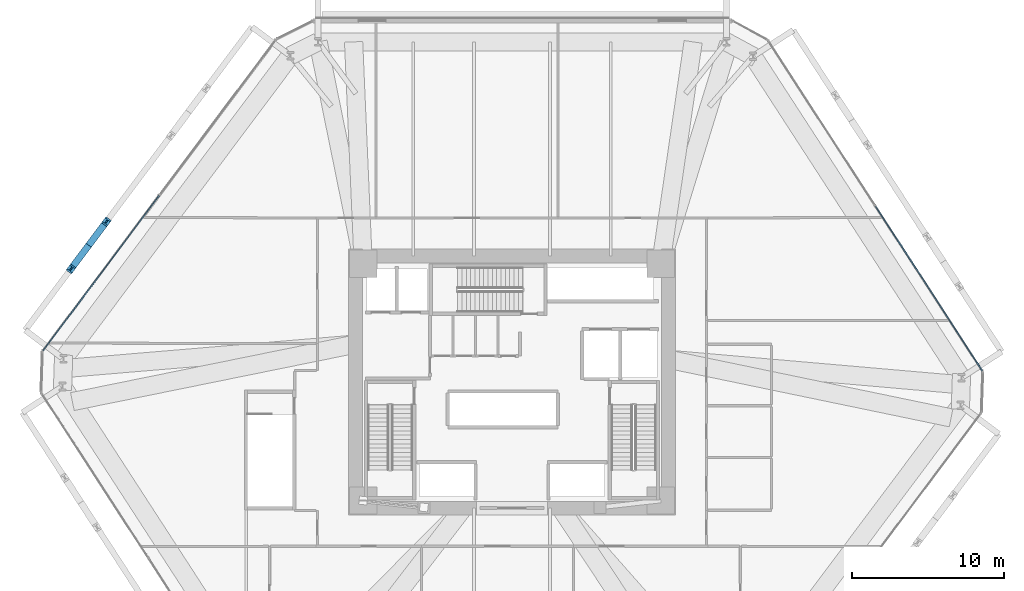
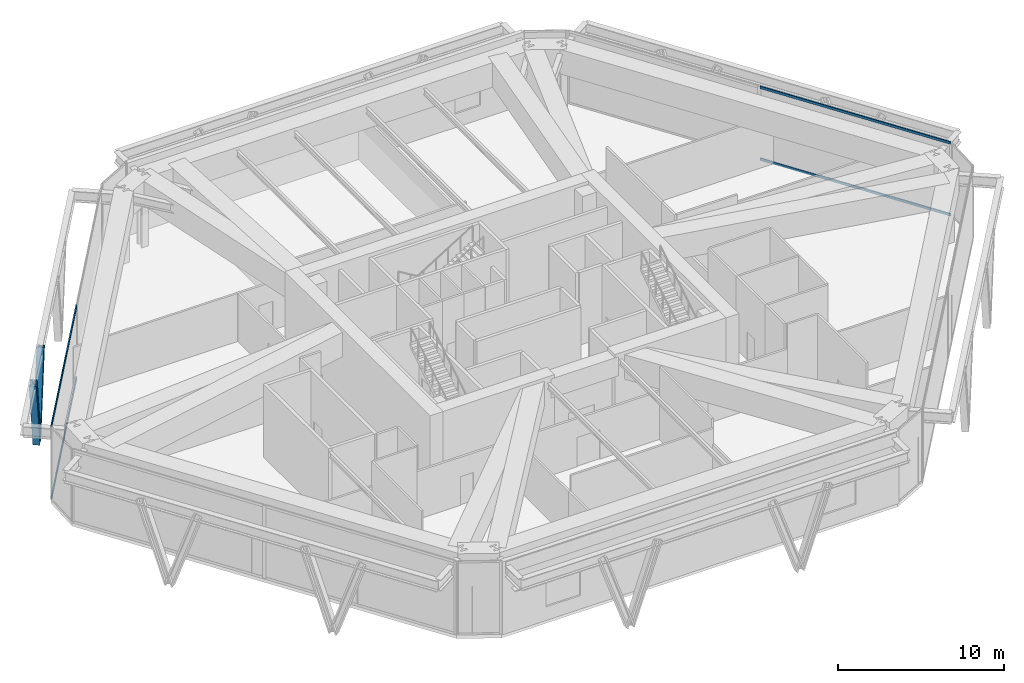
# One storey, part 7 of 19: 6 members, 2 elements without a shape of their own.
"""IFC4 building model written with IfcOpenShell, lengths in metres."""

from ifc_helpers import new_model, si_unit, direction, frame, origin, origin_2d, place, context, subcontext, project, spatial, rectangle, i_section, extrude, source, transform, mapped, material, layer, layer_set, material_profile, profile_set, type_object, type_shapes, element, aggregate, save


model = new_model("IFC4")

# Units and contexts
model_context = context("Model", 3, precision=1e-05, world=origin(), true_north=direction((0.0, 1.0)))
body_context = subcontext(model_context, "Body", "Model", "MODEL_VIEW")
ifc_project = project(units=[si_unit("LENGTHUNIT", "METRE"), si_unit("AREAUNIT", "SQUARE_METRE"), si_unit("VOLUMEUNIT", "CUBIC_METRE"), si_unit("PLANEANGLEUNIT", "RADIAN"), si_unit("MASSUNIT", "GRAM", prefix="KILO")], contexts=[model_context])

# Site, building, storey
site_placement = place(None, origin())
site = spatial("IfcSite", under=ifc_project, at=site_placement, CompositionType="ELEMENT")
building_placement = place(site_placement, origin())
building = spatial("IfcBuilding", under=site, at=building_placement, Name="Durnholm Broadcast Tower", CompositionType="ELEMENT")
storey_placement = place(building_placement, frame((0.0, 0.0, 26.800048828125)))
storey = spatial("IfcBuildingStorey", under=building, at=storey_placement, Name="L05", CompositionType="ELEMENT", Elevation=26.800048828125)

# Members
ifc_material_1 = material(Name="Steel ASTM A913 Grade 65", Category="steel")
ifc_material_profile_1 = material_profile(ifc_material_1, i_section(OverallWidth=0.44189453125, OverallDepth=0.531494140625, WebThickness=0.06591796875, FlangeThickness=0.105712890625, FilletRadius=0.030517578125, at=origin_2d()), Name="W14X605")
ifc_profile_set_1 = profile_set([ifc_material_profile_1], Name="Steel ASTM A913 Grade 65")
member_type_1 = type_object("IfcMemberType", Name="STL-DG-W14X605", PredefinedType="BRACE", material=ifc_profile_set_1)
shared_shape_1 = source(origin(), body_context, "Body", "SweptSolid", [
    extrude(i_section(OverallWidth=0.44189453125, OverallDepth=0.531494140625, WebThickness=0.06591796875, FlangeThickness=0.105712890625, FilletRadius=0.030517578125, at=origin_2d()), origin(), (0.0, 0.0, 1.0), 6.00341796875),
])
type_shapes(member_type_1, [shared_shape_1])
for number, where, z_axis, x_axis, name in (
    (1, (-27.86962890625, 9.005859375, -1.071533203125), (0.19402068597, 0.259290692464, 0.946110094131), (-0.800662544514, 0.599115589692, 0.0), "L05 stand-off diagrid brace F5.D2.1"),
    (2, (-27.86962890625, 9.005859375, -1.071533203125), (-0.19402068597, -0.259290692464, 0.946110094131), (0.800662544514, -0.599115589692, 0.0), "L05 stand-off diagrid brace F5.D2.2"),
):
    element("IfcMember", number, at=place(storey_placement, frame(where, z_axis=z_axis, x_axis=x_axis)), inside=storey, type_object=member_type_1, Name=name, PredefinedType="BRACE", context=body_context, shape_type="MappedRepresentation", body=[
        mapped(shared_shape_1, transform((0.0, 0.0, 0.0), x_axis=(1.0, 0.0, 0.0), y_axis=(0.0, 1.0, 0.0), z_axis=(0.0, 0.0, 1.0), scale=1.0)),
    ])

# Curtain wall, members
ifc_material_2 = material(Name="Aluminium and Solar Control IGU", Category="aluminium")
ifc_layer = layer(ifc_material_2, 0.219970703125)
ifc_layer_set = layer_set([ifc_layer], Name="Aluminium and Solar Control IGU")
curtain_wall_type = type_object("IfcCurtainWallType", Name="CW-SYS-2", PredefinedType="NOTDEFINED", material=ifc_layer_set)
curtain_wall_1_placement = place(storey_placement, origin())
curtain_wall_1 = element("IfcCurtainWall", 3, at=curtain_wall_1_placement, inside=storey, type_object=curtain_wall_type, Name="L05 curtain wall CW-STUDIO CW-L05-F02", PredefinedType="NOTDEFINED")
ifc_material_3 = material(Name="Aluminium 6063-T6", Category="aluminium")
ifc_material_profile_2 = material_profile(ifc_material_3, rectangle(XDim=0.074951171875, YDim=0.179931640625, at=origin_2d()), Name="CWT75X180")
ifc_profile_set_2 = profile_set([ifc_material_profile_2], Name="Aluminium 6063-T6")
member_type_2 = type_object("IfcMemberType", Name="CW-SYS-2-TRN", PredefinedType="USERDEFINED", material=ifc_profile_set_2)
shared_shape_2 = source(origin(), body_context, "Body", "SweptSolid", [
    extrude(rectangle(XDim=0.074951171875, YDim=0.179931640625, at=origin_2d()), origin(), (0.0, 0.0, 1.0), 12.736083984375),
])
member_1_placement = place(storey_placement, frame((-30.868896484375, 2.0771484375, 0.037353515625), z_axis=(0.599150086167, 0.800636730513, 0.0), x_axis=(-0.800636730513, 0.599150086167, 0.0)))
member_1 = element("IfcMember", 4, at=member_1_placement, type_object=member_type_2, Name="CW-STUDIO transom 1.1", ObjectType="TRANSOM", PredefinedType="USERDEFINED", context=body_context, shape_type="MappedRepresentation", body=[
    mapped(shared_shape_2, transform((0.0, 0.0, 0.0), x_axis=(1.0, 0.0, 0.0), y_axis=(0.0, 1.0, 0.0), z_axis=(0.0, 0.0, 1.0), scale=1.0)),
])
member_2_placement = place(storey_placement, frame((-30.868896484375, 2.0771484375, 5.322509765625), z_axis=(0.599150086167, 0.800636730513, 0.0), x_axis=(-0.800636730513, 0.599150086167, 0.0)))
member_2 = element("IfcMember", 5, at=member_2_placement, type_object=member_type_2, Name="CW-STUDIO transom 1.2", ObjectType="TRANSOM", PredefinedType="USERDEFINED", context=body_context, shape_type="MappedRepresentation", body=[
    mapped(shared_shape_2, transform((0.0, 0.0, 0.0), x_axis=(1.0, 0.0, 0.0), y_axis=(0.0, 1.0, 0.0), z_axis=(0.0, 0.0, 1.0), scale=1.0)),
])
aggregate(curtain_wall_1, [member_1, member_2])

curtain_wall_2_placement = place(storey_placement, origin())
curtain_wall_2 = element("IfcCurtainWall", 6, at=curtain_wall_2_placement, inside=storey, type_object=curtain_wall_type, Name="L05 curtain wall CW-STUDIO CW-L05-F06", PredefinedType="NOTDEFINED")
shared_shape_3 = source(origin(), body_context, "Body", "SweptSolid", [
    extrude(rectangle(XDim=0.074951171875, YDim=0.179931640625, at=origin_2d()), origin(), (0.0, 0.0, 1.0), 12.896728515625),
])
type_shapes(member_type_2, [shared_shape_2, shared_shape_3])
member_3_placement = place(storey_placement, frame((23.9462890625, 11.564697265625, 0.037353515625), z_axis=(0.544114398501, -0.839011037677, 0.0), x_axis=(0.839011037677, 0.544114398501, 0.0)))
member_3 = element("IfcMember", 7, at=member_3_placement, type_object=member_type_2, Name="CW-STUDIO transom 2.1", ObjectType="TRANSOM", PredefinedType="USERDEFINED", context=body_context, shape_type="MappedRepresentation", body=[
    mapped(shared_shape_3, transform((0.0, 0.0, 0.0), x_axis=(1.0, 0.0, 0.0), y_axis=(0.0, 1.0, 0.0), z_axis=(0.0, 0.0, 1.0), scale=1.0)),
])
member_4_placement = place(storey_placement, frame((23.9462890625, 11.564697265625, 5.322509765625), z_axis=(0.544114398501, -0.839011037677, 0.0), x_axis=(0.839011037677, 0.544114398501, 0.0)))
member_4 = element("IfcMember", 8, at=member_4_placement, type_object=member_type_2, Name="CW-STUDIO transom 2.2", ObjectType="TRANSOM", PredefinedType="USERDEFINED", context=body_context, shape_type="MappedRepresentation", body=[
    mapped(shared_shape_3, transform((0.0, 0.0, 0.0), x_axis=(1.0, 0.0, 0.0), y_axis=(0.0, 1.0, 0.0), z_axis=(0.0, 0.0, 1.0), scale=1.0)),
])
aggregate(curtain_wall_2, [member_3, member_4])

save(model, "model.ifc")
